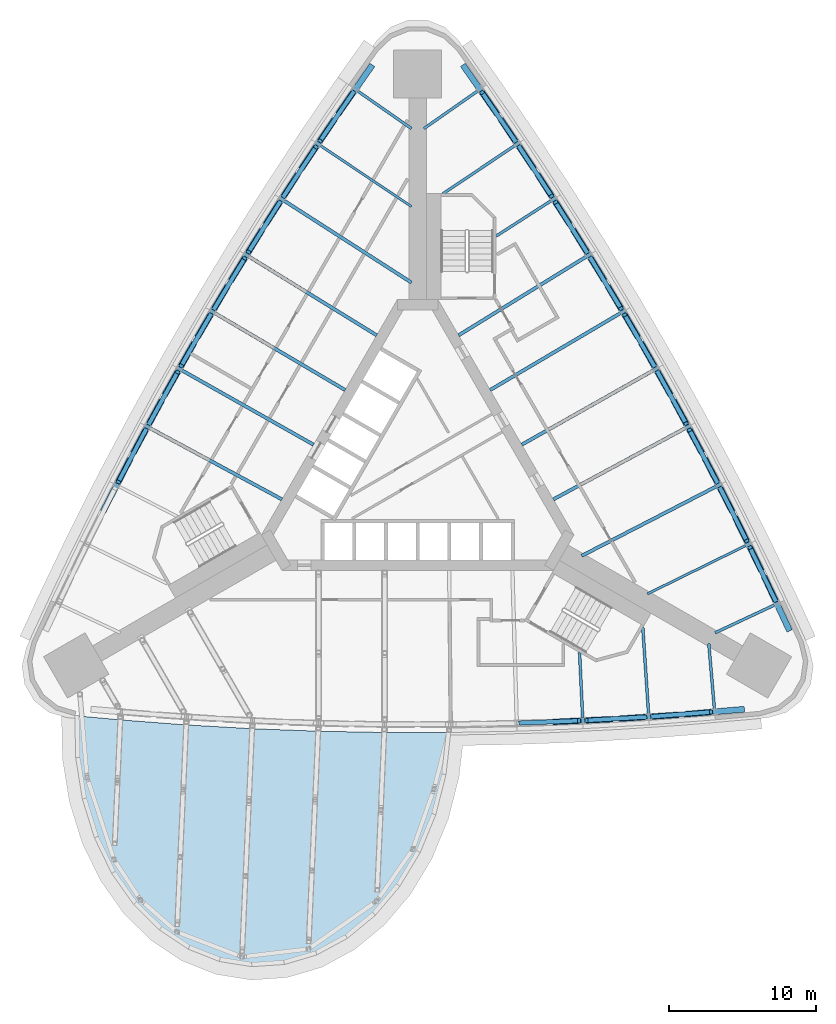
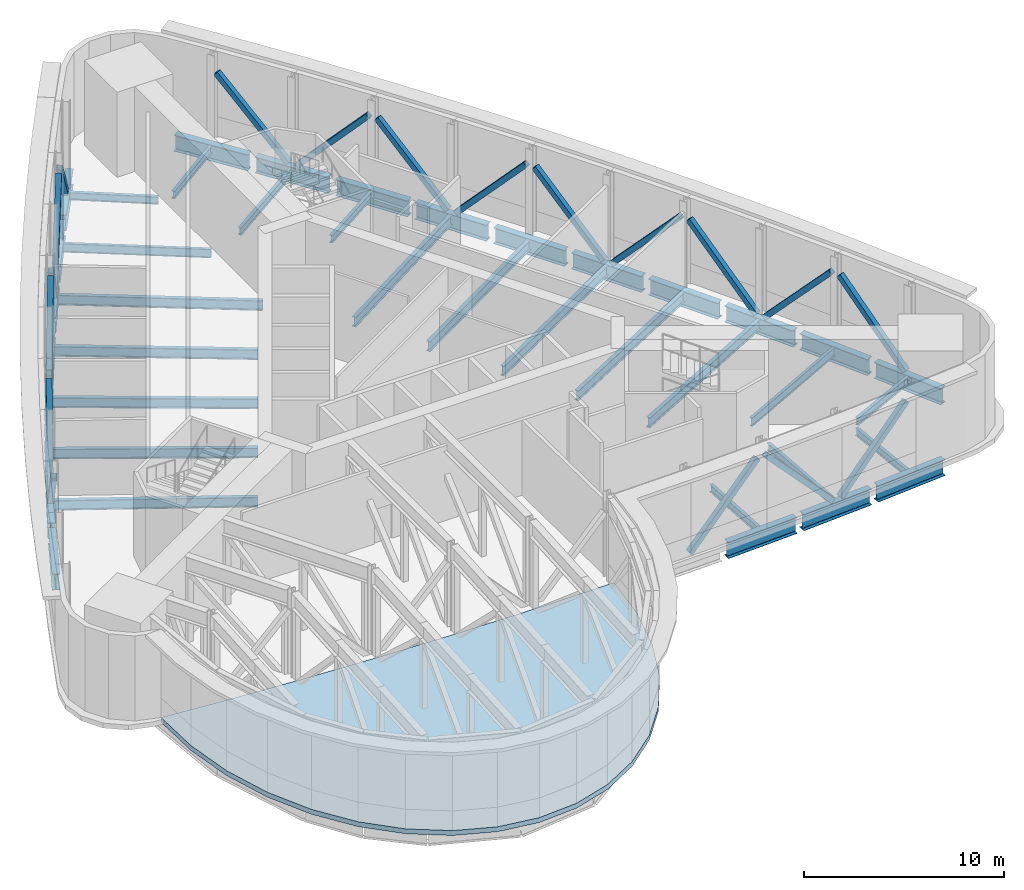
# One storey, part 4 of 10: 41 beams, 19 members, 1 slab.
"""IFC4 building model written with IfcOpenShell, lengths in metres."""

from ifc_helpers import new_model, si_unit, direction, frame, origin, origin_2d, place, context, subcontext, project, spatial, polyline, hollow_rectangle, i_section, outline, extrude, material, layer, layer_set, material_profile, profile_set, type_object, element, save


model = new_model("IFC4")

# Units and contexts
model_context = context("Model", 3, precision=1e-05, world=origin(), true_north=direction((0.0, 1.0)))
body_context = subcontext(model_context, "Body", "Model", "MODEL_VIEW")
ifc_project = project(units=[si_unit("LENGTHUNIT", "METRE"), si_unit("AREAUNIT", "SQUARE_METRE"), si_unit("VOLUMEUNIT", "CUBIC_METRE"), si_unit("PLANEANGLEUNIT", "RADIAN"), si_unit("MASSUNIT", "GRAM", prefix="KILO")], contexts=[model_context])

# Site, building, storey
site_placement = place(None, origin())
site = spatial("IfcSite", under=ifc_project, at=site_placement, CompositionType="ELEMENT")
building_placement = place(site_placement, origin())
building = spatial("IfcBuilding", under=site, at=building_placement, Name="Noor Cloister Tower", CompositionType="ELEMENT")
storey_placement = place(building_placement, frame((0.0, 0.0, 52.800048828125)))
storey = spatial("IfcBuildingStorey", under=building, at=storey_placement, Name="L13", CompositionType="ELEMENT", Elevation=52.800048828125)

# Members
ifc_material_1 = material(Name="Steel ASTM A500 Gr C", Category="steel")
ifc_material_profile_1 = material_profile(ifc_material_1, hollow_rectangle(XDim=0.304931640625, YDim=0.304931640625, WallThickness=0.0126953125, at=origin_2d()), Name="HSS304.8x304.8x12.7")
ifc_profile_set_1 = profile_set([ifc_material_profile_1], Name="Steel ASTM A500 Gr C")
member_type = type_object("IfcMemberType", Name="Belt truss diagonal HSS304.8x304.8x12.7", PredefinedType="BRACE", material=ifc_profile_set_1)
member_1_placement = place(storey_placement, frame((-4.374267578125, 25.540283203125, -0.1962890625), z_axis=(-0.383528733744, -0.561270681849, 0.733403662447), x_axis=(0.825648912013, -0.564184255444, 0.0)))
element("IfcMember", 1, at=member_1_placement, inside=storey, type_object=member_type, Name="Belt truss diagonal NW 01 L13", PredefinedType="BRACE", context=body_context, shape_type="SweptSolid", body=[
    extrude(hollow_rectangle(XDim=0.304931640625, YDim=0.304931640625, WallThickness=0.0126953125, at=origin_2d()), origin(), (0.0, 0.0, 1.0), 5.876220703125),
])
member_2_placement = place(storey_placement, frame((-9.09765625, 18.4931640625, -0.1962890625), z_axis=(0.373395778373, 0.568050192713, 0.733412960925), x_axis=(-0.835634142626, 0.54928642772, 0.0)))
element("IfcMember", 2, at=member_2_placement, inside=storey, type_object=member_type, Name="Belt truss diagonal NW 02 L13", PredefinedType="BRACE", context=body_context, shape_type="SweptSolid", body=[
    extrude(hollow_rectangle(XDim=0.304931640625, YDim=0.304931640625, WallThickness=0.0126953125, at=origin_2d()), origin(), (0.0, 0.0, 1.0), 5.8759765625),
])
member_3_placement = place(storey_placement, frame((-9.364990234375, 18.07666015625, -0.1962890625), z_axis=(-0.361798326887, -0.575520259996, 0.733401936864), x_axis=(0.846608224108, -0.532216605222, 0.0)))
element("IfcMember", 3, at=member_3_placement, inside=storey, type_object=member_type, Name="Belt truss diagonal NW 03 L13", PredefinedType="BRACE", context=body_context, shape_type="SweptSolid", body=[
    extrude(hollow_rectangle(XDim=0.304931640625, YDim=0.304931640625, WallThickness=0.0126953125, at=origin_2d()), origin(), (0.0, 0.0, 1.0), 5.876220703125),
])
for number, where, z_axis, x_axis, name in (
    (4, (-13.815673828125, 10.854248046875, -0.1962890625), (0.35142028565, 0.581891830282, 0.733420534676), (-0.85600626841, 0.516965442214, 0.0), "Belt truss diagonal NW 04 L13"),
    (5, (-14.067138671875, 10.427978515625, -0.1962890625), (-0.339535531519, -0.588910502172, 0.73341669143), (0.866325973627, -0.499479036015, 0.0), "Belt truss diagonal NW 05 L13"),
    (6, (-18.238525390625, 3.040771484375, -0.1962890625), (0.328940583461, 0.59489342857, 0.733416594574), (-0.875127116234, 0.483893098144, 0.0), "Belt truss diagonal NW 06 L13"),
    (7, (-18.473876953125, 2.605224609375, -0.1962890625), (-0.316767942266, -0.601460221962, 0.733419165382), (0.884790908687, -0.465988248676, 0.0), "Belt truss diagonal NW 07 L13"),
    (8, (6.980712890625, -17.30126953125, -0.1962890625), (0.679274176174, 0.026341661734, 0.733411692325), (-0.038750004634, 0.999248936522, 0.0), "Belt truss diagonal S 07 L13"),
    (9, (15.45458984375, -16.896240234375, -0.1962890625), (-0.678691531358, -0.038556825289, 0.733410646559), (0.05671907467, -0.99839017752, 0.0), "Belt truss diagonal S 08 L13"),
    (10, (15.948486328125, -16.863525390625, -0.1962890625), (0.677774168669, 0.052309058932, 0.733407075667), (-0.076948882146, 0.997035039272, 0.0), "Belt truss diagonal S 09 L13"),
):
    element("IfcMember", number, at=place(storey_placement, frame(where, z_axis=z_axis, x_axis=x_axis)), inside=storey, type_object=member_type, Name=name, PredefinedType="BRACE", context=body_context, shape_type="SweptSolid", body=[
        extrude(hollow_rectangle(XDim=0.304931640625, YDim=0.304931640625, WallThickness=0.0126953125, at=origin_2d()), origin(), (0.0, 0.0, 1.0), 5.8759765625),
    ])
member_4_placement = place(storey_placement, frame((24.3056640625, -8.98193359375, -0.1962890625), z_axis=(-0.294322425843, 0.612783943924, 0.733396310132), x_axis=(-0.901416214149, -0.432953587432, 0.0)))
element("IfcMember", 11, at=member_4_placement, inside=storey, type_object=member_type, Name="Belt truss diagonal NE 01 L13", PredefinedType="BRACE", context=body_context, shape_type="SweptSolid", body=[
    extrude(hollow_rectangle(XDim=0.304931640625, YDim=0.304931640625, WallThickness=0.0126953125, at=origin_2d()), origin(), (0.0, 0.0, 1.0), 5.876220703125),
])
for number, where, z_axis, x_axis, name in (
    (12, (20.564208984375, -1.367919921875, -0.1962890625), (0.305255340555, -0.60739455881, 0.733410544641), (0.893508516441, 0.449046246001, 0.0), "Belt truss diagonal NE 02 L13"),
    (13, (20.33740234375, -0.927978515625, -0.1962890625), (-0.317511901091, 0.601078863267, 0.733410112283), (-0.884217197963, -0.467075954022, 0.0), "Belt truss diagonal NE 03 L13"),
):
    element("IfcMember", number, at=place(storey_placement, frame(where, z_axis=z_axis, x_axis=x_axis)), inside=storey, type_object=member_type, Name=name, PredefinedType="BRACE", context=body_context, shape_type="SweptSolid", body=[
        extrude(hollow_rectangle(XDim=0.304931640625, YDim=0.304931640625, WallThickness=0.0126953125, at=origin_2d()), origin(), (0.0, 0.0, 1.0), 5.8759765625),
    ])
for number, where, z_axis, x_axis, name in (
    (14, (16.307861328125, 6.53759765625, -0.1962890625), (0.328229278588, -0.595299886533, 0.733405471599), (0.875709583207, 0.482838198446, 0.0), "Belt truss diagonal NE 04 L13"),
    (15, (16.064453125, 6.968505859375, -0.1962890625), (-0.340235078844, 0.5885248372, 0.733402077392), (-0.865738555215, -0.500496507494, 0.0), "Belt truss diagonal NE 05 L13"),
):
    element("IfcMember", number, at=place(storey_placement, frame(where, z_axis=z_axis, x_axis=x_axis)), inside=storey, type_object=member_type, Name=name, PredefinedType="BRACE", context=body_context, shape_type="SweptSolid", body=[
        extrude(hollow_rectangle(XDim=0.304931640625, YDim=0.304931640625, WallThickness=0.0126953125, at=origin_2d()), origin(), (0.0, 0.0, 1.0), 5.876220703125),
    ])
member_5_placement = place(storey_placement, frame((11.752685546875, 14.274658203125, -0.1962890625), z_axis=(0.350716099161, -0.582310879011, 0.733425018645), x_axis=(0.856628816835, 0.515933203204, 0.0)))
element("IfcMember", 16, at=member_5_placement, inside=storey, type_object=member_type, Name="Belt truss diagonal NE 06 L13", PredefinedType="BRACE", context=body_context, shape_type="SweptSolid", body=[
    extrude(hollow_rectangle(XDim=0.304931640625, YDim=0.304931640625, WallThickness=0.0126953125, at=origin_2d()), origin(), (0.0, 0.0, 1.0), 5.8759765625),
])
for number, where, z_axis, x_axis, name in (
    (17, (11.4931640625, 14.696044921875, -0.1962890625), (-0.362498563334, 0.575095141968, 0.73338964355), (-0.845966357841, -0.533236271649, 0.0), "Belt truss diagonal NE 07 L13"),
    (18, (6.9052734375, 21.832275390625, -0.1962890625), (0.372726635542, -0.568500563384, 0.733404366356), (0.83628525626, 0.548294601616, 0.0), "Belt truss diagonal NE 08 L13"),
):
    element("IfcMember", number, at=place(storey_placement, frame(where, z_axis=z_axis, x_axis=x_axis)), inside=storey, type_object=member_type, Name=name, PredefinedType="BRACE", context=body_context, shape_type="SweptSolid", body=[
        extrude(hollow_rectangle(XDim=0.304931640625, YDim=0.304931640625, WallThickness=0.0126953125, at=origin_2d()), origin(), (0.0, 0.0, 1.0), 5.876220703125),
    ])
member_6_placement = place(storey_placement, frame((6.6298828125, 22.24365234375, -0.1962890625), z_axis=(-0.384158558005, 0.560823298285, 0.733416273621), x_axis=(-0.825007307473, -0.565122059927, 0.0)))
element("IfcMember", 19, at=member_6_placement, inside=storey, type_object=member_type, Name="Belt truss diagonal NE 09 L13", PredefinedType="BRACE", context=body_context, shape_type="SweptSolid", body=[
    extrude(hollow_rectangle(XDim=0.304931640625, YDim=0.304931640625, WallThickness=0.0126953125, at=origin_2d()), origin(), (0.0, 0.0, 1.0), 5.8759765625),
])

# Beams
ifc_material_2 = material(Name="Steel ASTM A992 Gr 50", Category="steel")
ifc_material_profile_2 = material_profile(ifc_material_2, i_section(OverallWidth=0.19091796875, OverallDepth=0.45703125, WebThickness=0.009033203125, FlangeThickness=0.014404296875, FilletRadius=0.01025390625, at=origin_2d()), Name="W460x74")
ifc_profile_set_2 = profile_set([ifc_material_profile_2], Name="Steel ASTM A992 Gr 50")
beam_type_1 = type_object("IfcBeamType", Name="Radial beam W460x74", PredefinedType="BEAM", material=ifc_profile_set_2)
beam_1_placement = place(storey_placement, frame((-4.068359375, 25.62841796875, -0.528564453125), z_axis=(0.819905044585, -0.572499535253, 0.0), x_axis=(0.572499535253, 0.819905044585, 0.0)))
element("IfcBeam", 20, at=beam_1_placement, inside=storey, type_object=beam_type_1, Name="Radial beam NW 01 L13", PredefinedType="BEAM", context=body_context, shape_type="SweptSolid", body=[
    extrude(i_section(OverallWidth=0.19091796875, OverallDepth=0.45703125, WebThickness=0.009033203125, FlangeThickness=0.014404296875, FilletRadius=0.01025390625, at=origin_2d()), origin(), (0.0, 0.0, 1.0), 4.443603515625),
])
beam_2_placement = place(storey_placement, frame((11.2099609375, -16.936767578125, -0.528564453125), z_axis=(-0.047716986748, 0.998860895809, 0.0), x_axis=(-0.998860895809, -0.047716986748, 0.0)))
element("IfcBeam", 21, at=beam_2_placement, inside=storey, type_object=beam_type_1, Name="Radial beam S 08 L13", PredefinedType="BEAM", context=body_context, shape_type="SweptSolid", body=[
    extrude(i_section(OverallWidth=0.19091796875, OverallDepth=0.45703125, WebThickness=0.009033203125, FlangeThickness=0.014404296875, FilletRadius=0.01025390625, at=origin_2d()), origin(), (0.0, 0.0, 1.0), 4.430908203125),
])
beam_3_placement = place(storey_placement, frame((15.688232421875, -16.679931640625, -0.528564453125), z_axis=(-0.066797651812, 0.99776654269, 0.0), x_axis=(-0.99776654269, -0.066797651812, 0.0)))
element("IfcBeam", 22, at=beam_3_placement, inside=storey, type_object=beam_type_1, Name="Radial beam S 09 L13", PredefinedType="BEAM", context=body_context, shape_type="SweptSolid", body=[
    extrude(i_section(OverallWidth=0.19091796875, OverallDepth=0.45703125, WebThickness=0.009033203125, FlangeThickness=0.014404296875, FilletRadius=0.01025390625, at=origin_2d()), origin(), (0.0, 0.0, 1.0), 5.87353515625),
])
for number, where, z_axis, x_axis, name in (
    (23, (20.16064453125, -16.337646484375, -0.528564453125), (-0.085818761153, 0.996310764889, 0.0), (-0.996310764889, -0.085818761153, 0.0), "Radial beam S 10 L13"),
    (24, (24.22900390625, -9.290771484375, -0.528564453125), (-0.90571939898, -0.423877777563, 0.0), (0.423877777563, -0.90571939898, 0.0), "Radial beam NE 01 L13"),
):
    element("IfcBeam", number, at=place(storey_placement, frame(where, z_axis=z_axis, x_axis=x_axis)), inside=storey, type_object=beam_type_1, Name=name, PredefinedType="BEAM", context=body_context, shape_type="SweptSolid", body=[
        extrude(i_section(OverallWidth=0.19091796875, OverallDepth=0.45703125, WebThickness=0.009033203125, FlangeThickness=0.014404296875, FilletRadius=0.01025390625, at=origin_2d()), origin(), (0.0, 0.0, 1.0), 4.443603515625),
    ])
beam_4_placement = place(storey_placement, frame((9.062744140625, 18.176513671875, -0.528564453125), z_axis=(-0.841174894775, -0.540763161098, 0.0), x_axis=(0.540763161098, -0.841174894775, 0.0)))
element("IfcBeam", 25, at=beam_4_placement, inside=storey, type_object=beam_type_1, Name="Radial beam NE 08 L13", PredefinedType="BEAM", context=body_context, shape_type="SweptSolid", body=[
    extrude(i_section(OverallWidth=0.19091796875, OverallDepth=0.45703125, WebThickness=0.009033203125, FlangeThickness=0.014404296875, FilletRadius=0.01025390625, at=origin_2d()), origin(), (0.0, 0.0, 1.0), 4.4306640625),
])
beam_5_placement = place(storey_placement, frame((6.60107421875, 21.92626953125, -0.528564453125), z_axis=(-0.830698465473, -0.556722605488, 0.0), x_axis=(0.556722605488, -0.830698465473, 0.0)))
element("IfcBeam", 26, at=beam_5_placement, inside=storey, type_object=beam_type_1, Name="Radial beam NE 09 L13", PredefinedType="BEAM", context=body_context, shape_type="SweptSolid", body=[
    extrude(i_section(OverallWidth=0.19091796875, OverallDepth=0.45703125, WebThickness=0.009033203125, FlangeThickness=0.014404296875, FilletRadius=0.01025390625, at=origin_2d()), origin(), (0.0, 0.0, 1.0), 5.873291015625),
])
beam_6_placement = place(storey_placement, frame((4.068359375, 25.62841796875, -0.528564453125), z_axis=(-0.819905044585, -0.572499535253, 0.0), x_axis=(0.572499535253, -0.819905044585, 0.0)))
element("IfcBeam", 27, at=beam_6_placement, inside=storey, type_object=beam_type_1, Name="Radial beam NE 10 L13", PredefinedType="BEAM", context=body_context, shape_type="SweptSolid", body=[
    extrude(i_section(OverallWidth=0.19091796875, OverallDepth=0.45703125, WebThickness=0.009033203125, FlangeThickness=0.014404296875, FilletRadius=0.01025390625, at=origin_2d()), origin(), (0.0, 0.0, 1.0), 4.443603515625),
])
ifc_material_3 = material(Name="Steel ASTM A992 Gr 50", Category="steel")
ifc_material_profile_3 = material_profile(ifc_material_3, i_section(OverallWidth=0.166015625, OverallDepth=0.528076171875, WebThickness=0.009765625, FlangeThickness=0.013671875, FilletRadius=0.0126953125, at=origin_2d()), Name="W530x74")
ifc_profile_set_3 = profile_set([ifc_material_profile_3], Name="Steel ASTM A992 Gr 50")
beam_type_2 = type_object("IfcBeamType", Name="Radial beam W530x74", PredefinedType="BEAM", material=ifc_profile_set_3)
for number, where, z_axis, x_axis, name in (
    (28, (-6.60107421875, 21.92626953125, -0.56396484375), (0.830693894484, -0.556729425904, 0.0), (0.556729425904, 0.830693894484, 0.0), "Radial beam NW 02 L13"),
    (29, (22.289306640625, -5.246337890625, -0.56396484375), (-0.897486148859, -0.441042642616, 0.0), (0.441042642616, -0.897486148859, 0.0), "Radial beam NE 02 L13"),
):
    element("IfcBeam", number, at=place(storey_placement, frame(where, z_axis=z_axis, x_axis=x_axis)), inside=storey, type_object=beam_type_2, Name=name, PredefinedType="BEAM", context=body_context, shape_type="SweptSolid", body=[
        extrude(i_section(OverallWidth=0.166015625, OverallDepth=0.528076171875, WebThickness=0.009765625, FlangeThickness=0.013671875, FilletRadius=0.0126953125, at=origin_2d()), origin(), (0.0, 0.0, 1.0), 7.434814453125),
    ])
ifc_material_4 = material(Name="Steel ASTM A992 Gr 50", Category="steel")
ifc_material_profile_4 = material_profile(ifc_material_4, i_section(OverallWidth=0.22802734375, OverallDepth=0.60205078125, WebThickness=0.010498046875, FlangeThickness=0.014892578125, FilletRadius=0.0126953125, at=origin_2d()), Name="W610x101")
ifc_profile_set_4 = profile_set([ifc_material_profile_4], Name="Steel ASTM A992 Gr 50")
beam_type_3 = type_object("IfcBeamType", Name="Radial beam W610x101", PredefinedType="BEAM", material=ifc_profile_set_4)
beam_7_placement = place(storey_placement, frame((-9.062744140625, 18.176513671875, -0.60107421875), z_axis=(0.841170750458, -0.540769607665, 0.0), x_axis=(0.540769607665, 0.841170750458, 0.0)))
element("IfcBeam", 30, at=beam_7_placement, inside=storey, type_object=beam_type_3, Name="Radial beam NW 03 L13", PredefinedType="BEAM", context=body_context, shape_type="SweptSolid", body=[
    extrude(i_section(OverallWidth=0.22802734375, OverallDepth=0.60205078125, WebThickness=0.010498046875, FlangeThickness=0.014892578125, FilletRadius=0.0126953125, at=origin_2d()), origin(), (0.0, 0.0, 1.0), 10.2685546875),
])
beam_8_placement = place(storey_placement, frame((-11.4521484375, 14.380126953125, -0.60107421875), z_axis=(0.85136021175, -0.524581537846, 0.0), x_axis=(0.524581537846, 0.85136021175, 0.0)))
element("IfcBeam", 31, at=beam_8_placement, inside=storey, type_object=beam_type_3, Name="Radial beam NW 04 L13", PredefinedType="BEAM", context=body_context, shape_type="SweptSolid", body=[
    extrude(i_section(OverallWidth=0.22802734375, OverallDepth=0.60205078125, WebThickness=0.010498046875, FlangeThickness=0.014892578125, FilletRadius=0.0126953125, at=origin_2d()), origin(), (0.0, 0.0, 1.0), 10.183837890625),
])
beam_9_placement = place(storey_placement, frame((-13.768798828125, 10.5390625, -0.60107421875), z_axis=(0.86121991959, -0.508232476433, 0.0), x_axis=(0.508232476433, 0.86121991959, 0.0)))
element("IfcBeam", 32, at=beam_9_placement, inside=storey, type_object=beam_type_3, Name="Radial beam NW 05 L13", PredefinedType="BEAM", context=body_context, shape_type="SweptSolid", body=[
    extrude(i_section(OverallWidth=0.22802734375, OverallDepth=0.60205078125, WebThickness=0.010498046875, FlangeThickness=0.014892578125, FilletRadius=0.0126953125, at=origin_2d()), origin(), (0.0, 0.0, 1.0), 10.26611328125),
])
beam_10_placement = place(storey_placement, frame((-16.011474609375, 6.654541015625, -0.60107421875), z_axis=(0.87075500463, -0.491717115741, 0.0), x_axis=(0.491717115741, 0.87075500463, 0.0)))
element("IfcBeam", 33, at=beam_10_placement, inside=storey, type_object=beam_type_3, Name="Radial beam NW 06 L13", PredefinedType="BEAM", context=body_context, shape_type="SweptSolid", body=[
    extrude(i_section(OverallWidth=0.22802734375, OverallDepth=0.60205078125, WebThickness=0.010498046875, FlangeThickness=0.014892578125, FilletRadius=0.0126953125, at=origin_2d()), origin(), (0.0, 0.0, 1.0), 10.265869140625),
])
beam_11_placement = place(storey_placement, frame((-18.1796875, 2.727783203125, -0.60107421875), z_axis=(0.879983363592, -0.475004505032, 0.0), x_axis=(0.475004505032, 0.879983363592, 0.0)))
element("IfcBeam", 34, at=beam_11_placement, inside=storey, type_object=beam_type_3, Name="Radial beam NW 07 L13", PredefinedType="BEAM", context=body_context, shape_type="SweptSolid", body=[
    extrude(i_section(OverallWidth=0.22802734375, OverallDepth=0.60205078125, WebThickness=0.010498046875, FlangeThickness=0.014892578125, FilletRadius=0.0126953125, at=origin_2d()), origin(), (0.0, 0.0, 1.0), 10.183837890625),
])
beam_12_placement = place(storey_placement, frame((20.2724609375, -1.23974609375, -0.60107421875), z_axis=(-0.888896815834, -0.458107466432, 0.0), x_axis=(0.458107466432, -0.888896815834, 0.0)))
element("IfcBeam", 35, at=beam_12_placement, inside=storey, type_object=beam_type_3, Name="Radial beam NE 03 L13", PredefinedType="BEAM", context=body_context, shape_type="SweptSolid", body=[
    extrude(i_section(OverallWidth=0.22802734375, OverallDepth=0.60205078125, WebThickness=0.010498046875, FlangeThickness=0.014892578125, FilletRadius=0.0126953125, at=origin_2d()), origin(), (0.0, 0.0, 1.0), 10.2685546875),
])
beam_13_placement = place(storey_placement, frame((18.1796875, 2.727783203125, -0.60107421875), z_axis=(-0.879983363592, -0.475004505032, 0.0), x_axis=(0.475004505032, -0.879983363592, 0.0)))
element("IfcBeam", 36, at=beam_13_placement, inside=storey, type_object=beam_type_3, Name="Radial beam NE 04 L13", PredefinedType="BEAM", context=body_context, shape_type="SweptSolid", body=[
    extrude(i_section(OverallWidth=0.22802734375, OverallDepth=0.60205078125, WebThickness=0.010498046875, FlangeThickness=0.014892578125, FilletRadius=0.0126953125, at=origin_2d()), origin(), (0.0, 0.0, 1.0), 10.183837890625),
])
beam_14_placement = place(storey_placement, frame((16.011474609375, 6.654541015625, -0.60107421875), z_axis=(-0.87075500463, -0.491717115741, 0.0), x_axis=(0.491717115741, -0.87075500463, 0.0)))
element("IfcBeam", 37, at=beam_14_placement, inside=storey, type_object=beam_type_3, Name="Radial beam NE 05 L13", PredefinedType="BEAM", context=body_context, shape_type="SweptSolid", body=[
    extrude(i_section(OverallWidth=0.22802734375, OverallDepth=0.60205078125, WebThickness=0.010498046875, FlangeThickness=0.014892578125, FilletRadius=0.0126953125, at=origin_2d()), origin(), (0.0, 0.0, 1.0), 10.265869140625),
])
beam_15_placement = place(storey_placement, frame((13.768798828125, 10.5390625, -0.60107421875), z_axis=(-0.86121991959, -0.508232476433, 0.0), x_axis=(0.508232476433, -0.86121991959, 0.0)))
element("IfcBeam", 38, at=beam_15_placement, inside=storey, type_object=beam_type_3, Name="Radial beam NE 06 L13", PredefinedType="BEAM", context=body_context, shape_type="SweptSolid", body=[
    extrude(i_section(OverallWidth=0.22802734375, OverallDepth=0.60205078125, WebThickness=0.010498046875, FlangeThickness=0.014892578125, FilletRadius=0.0126953125, at=origin_2d()), origin(), (0.0, 0.0, 1.0), 10.26611328125),
])
beam_16_placement = place(storey_placement, frame((11.4521484375, 14.380126953125, -0.60107421875), z_axis=(-0.85136021175, -0.524581537846, 0.0), x_axis=(0.524581537846, -0.85136021175, 0.0)))
element("IfcBeam", 39, at=beam_16_placement, inside=storey, type_object=beam_type_3, Name="Radial beam NE 07 L13", PredefinedType="BEAM", context=body_context, shape_type="SweptSolid", body=[
    extrude(i_section(OverallWidth=0.22802734375, OverallDepth=0.60205078125, WebThickness=0.010498046875, FlangeThickness=0.014892578125, FilletRadius=0.0126953125, at=origin_2d()), origin(), (0.0, 0.0, 1.0), 10.183837890625),
])
ifc_material_5 = material(Name="Steel ASTM A992 Gr 50", Category="steel")
ifc_material_profile_5 = material_profile(ifc_material_5, i_section(OverallWidth=0.40087890625, OverallDepth=0.98291015625, WebThickness=0.0166015625, FlangeThickness=0.027099609375, FilletRadius=0.030029296875, at=origin_2d()), Name="W1000x296")
ifc_profile_set_5 = profile_set([ifc_material_profile_5], Name="Steel ASTM A992 Gr 50")
beam_type_4 = type_object("IfcBeamType", Name="Transfer girder W1000x296", PredefinedType="BEAM", material=ifc_profile_set_5)
beam_17_placement = place(storey_placement, frame((-3.0732421875, 27.406982421875, -0.79150390625), z_axis=(-0.571804849183, -0.820389672321, 0.0), x_axis=(0.820389672321, -0.571804849183, 0.0)))
element("IfcBeam", 40, at=beam_17_placement, inside=storey, type_object=beam_type_4, Name="Transfer girder NW 01 L13", PredefinedType="BEAM", context=body_context, shape_type="SweptSolid", body=[
    extrude(i_section(OverallWidth=0.40087890625, OverallDepth=0.98291015625, WebThickness=0.0166015625, FlangeThickness=0.027099609375, FilletRadius=0.030029296875, at=origin_2d()), origin(), (0.0, 0.0, 1.0), 4.085693359375),
])
beam_18_placement = place(storey_placement, frame((-5.637939453125, 23.72607421875, -0.79150390625), z_axis=(-0.55617490597, -0.831065264567, 0.0), x_axis=(0.831065264567, -0.55617490597, 0.0)))
element("IfcBeam", 41, at=beam_18_placement, inside=storey, type_object=beam_type_4, Name="Transfer girder NW 02 L13", PredefinedType="BEAM", context=body_context, shape_type="SweptSolid", body=[
    extrude(i_section(OverallWidth=0.40087890625, OverallDepth=0.98291015625, WebThickness=0.0166015625, FlangeThickness=0.027099609375, FilletRadius=0.030029296875, at=origin_2d()), origin(), (0.0, 0.0, 1.0), 4.08544921875),
])
beam_19_placement = place(storey_placement, frame((-8.1318359375, 19.996826171875, -0.79150390625), z_axis=(-0.540373974592, -0.841424962539, 0.0), x_axis=(0.841424962539, -0.540373974592, 0.0)))
element("IfcBeam", 42, at=beam_19_placement, inside=storey, type_object=beam_type_4, Name="Transfer girder NW 03 L13", PredefinedType="BEAM", context=body_context, shape_type="SweptSolid", body=[
    extrude(i_section(OverallWidth=0.40087890625, OverallDepth=0.98291015625, WebThickness=0.0166015625, FlangeThickness=0.027099609375, FilletRadius=0.030029296875, at=origin_2d()), origin(), (0.0, 0.0, 1.0), 4.085693359375),
])
for number, where, z_axis, x_axis, name in (
    (43, (-10.55419921875, 16.220703125, -0.79150390625), (-0.524374130172, -0.851487975022, 0.0), (0.851487975022, -0.524374130172, 0.0), "Transfer girder NW 04 L13"),
    (44, (-12.904052734375, 12.39892578125, -0.79150390625), (-0.508189643386, -0.861245195258, 0.0), (0.861245195258, -0.508189643386, 0.0), "Transfer girder NW 05 L13"),
):
    element("IfcBeam", number, at=place(storey_placement, frame(where, z_axis=z_axis, x_axis=x_axis)), inside=storey, type_object=beam_type_4, Name=name, PredefinedType="BEAM", context=body_context, shape_type="SweptSolid", body=[
        extrude(i_section(OverallWidth=0.40087890625, OverallDepth=0.98291015625, WebThickness=0.0166015625, FlangeThickness=0.027099609375, FilletRadius=0.030029296875, at=origin_2d()), origin(), (0.0, 0.0, 1.0), 4.08544921875),
    ])
for number, where, z_axis, x_axis, name in (
    (45, (-15.1806640625, 8.533203125, -0.79150390625), (-0.491795350602, -0.87071082061, 0.0), (0.87071082061, -0.491795350602, 0.0), "Transfer girder NW 06 L13"),
    (46, (-17.383056640625, 4.62451171875, -0.79150390625), (-0.47524329356, -0.879854426554, 0.0), (0.879854426554, -0.47524329356, 0.0), "Transfer girder NW 07 L13"),
    (47, (-19.510498046875, 0.6748046875, -0.79150390625), (-0.458507444695, -0.888690566597, 0.0), (0.888690566597, -0.458507444695, 0.0), "Transfer girder NW 08 L13"),
    (48, (9.1708984375, -17.23388671875, -0.79150390625), (0.998882288685, 0.047267042974, 0.0), (-0.047267042974, 0.998882288685, 0.0), "Transfer girder S 08 L13"),
    (49, (13.65185546875, -17.015869140625, -0.79150390625), (0.997809679637, 0.066150156627, 0.0), (-0.066150156627, 0.997809679637, 0.0), "Transfer girder S 09 L13"),
    (50, (18.127685546875, -16.712158203125, -0.79150390625), (0.996383166947, 0.084974023234, 0.0), (-0.084974023234, 0.996383166947, 0.0), "Transfer girder S 10 L13"),
):
    element("IfcBeam", number, at=place(storey_placement, frame(where, z_axis=z_axis, x_axis=x_axis)), inside=storey, type_object=beam_type_4, Name=name, PredefinedType="BEAM", context=body_context, shape_type="SweptSolid", body=[
        extrude(i_section(OverallWidth=0.40087890625, OverallDepth=0.98291015625, WebThickness=0.0166015625, FlangeThickness=0.027099609375, FilletRadius=0.030029296875, at=origin_2d()), origin(), (0.0, 0.0, 1.0), 4.085693359375),
    ])
for number, where, z_axis, x_axis, name in (
    (51, (25.271728515625, -11.0419921875, -0.79150390625), (-0.424579318133, 0.905390745818, 0.0), (-0.905390745818, -0.424579318133, 0.0), "Transfer girder NE 01 L13"),
    (52, (23.3662109375, -6.98046875, -0.79150390625), (-0.441611503517, 0.897206375346, 0.0), (-0.897206375346, -0.441611503517, 0.0), "Transfer girder NE 02 L13"),
):
    element("IfcBeam", number, at=place(storey_placement, frame(where, z_axis=z_axis, x_axis=x_axis)), inside=storey, type_object=beam_type_4, Name=name, PredefinedType="BEAM", context=body_context, shape_type="SweptSolid", body=[
        extrude(i_section(OverallWidth=0.40087890625, OverallDepth=0.98291015625, WebThickness=0.0166015625, FlangeThickness=0.027099609375, FilletRadius=0.030029296875, at=origin_2d()), origin(), (0.0, 0.0, 1.0), 4.08544921875),
    ])
for number, where, z_axis, x_axis, name in (
    (53, (21.3837890625, -2.9560546875, -0.79150390625), (-0.458507444695, 0.888690566597, 0.0), (-0.888690566597, -0.458507444695, 0.0), "Transfer girder NE 03 L13"),
    (54, (19.32470703125, 1.02978515625, -0.79150390625), (-0.47524329356, 0.879854426554, 0.0), (-0.879854426554, -0.47524329356, 0.0), "Transfer girder NE 04 L13"),
    (55, (17.18994140625, 4.975830078125, -0.79150390625), (-0.491795350602, 0.87071082061, 0.0), (-0.87071082061, -0.491795350602, 0.0), "Transfer girder NE 05 L13"),
):
    element("IfcBeam", number, at=place(storey_placement, frame(where, z_axis=z_axis, x_axis=x_axis)), inside=storey, type_object=beam_type_4, Name=name, PredefinedType="BEAM", context=body_context, shape_type="SweptSolid", body=[
        extrude(i_section(OverallWidth=0.40087890625, OverallDepth=0.98291015625, WebThickness=0.0166015625, FlangeThickness=0.027099609375, FilletRadius=0.030029296875, at=origin_2d()), origin(), (0.0, 0.0, 1.0), 4.085693359375),
    ])
for number, where, z_axis, x_axis, name in (
    (56, (14.980224609375, 8.88037109375, -0.79150390625), (-0.508189643386, 0.861245195258, 0.0), (-0.861245195258, -0.508189643386, 0.0), "Transfer girder NE 06 L13"),
    (57, (12.696533203125, 12.741943359375, -0.79150390625), (-0.524374130172, 0.851487975022, 0.0), (-0.851487975022, -0.524374130172, 0.0), "Transfer girder NE 07 L13"),
):
    element("IfcBeam", number, at=place(storey_placement, frame(where, z_axis=z_axis, x_axis=x_axis)), inside=storey, type_object=beam_type_4, Name=name, PredefinedType="BEAM", context=body_context, shape_type="SweptSolid", body=[
        extrude(i_section(OverallWidth=0.40087890625, OverallDepth=0.98291015625, WebThickness=0.0166015625, FlangeThickness=0.027099609375, FilletRadius=0.030029296875, at=origin_2d()), origin(), (0.0, 0.0, 1.0), 4.08544921875),
    ])
beam_20_placement = place(storey_placement, frame((10.339599609375, 16.55908203125, -0.79150390625), z_axis=(-0.540373974592, 0.841424962539, 0.0), x_axis=(-0.841424962539, -0.540373974592, 0.0)))
element("IfcBeam", 58, at=beam_20_placement, inside=storey, type_object=beam_type_4, Name="Transfer girder NE 08 L13", PredefinedType="BEAM", context=body_context, shape_type="SweptSolid", body=[
    extrude(i_section(OverallWidth=0.40087890625, OverallDepth=0.98291015625, WebThickness=0.0166015625, FlangeThickness=0.027099609375, FilletRadius=0.030029296875, at=origin_2d()), origin(), (0.0, 0.0, 1.0), 4.085693359375),
])
beam_21_placement = place(storey_placement, frame((7.91015625, 20.330810546875, -0.79150390625), z_axis=(-0.55617490597, 0.831065264567, 0.0), x_axis=(-0.831065264567, -0.55617490597, 0.0)))
element("IfcBeam", 59, at=beam_21_placement, inside=storey, type_object=beam_type_4, Name="Transfer girder NE 09 L13", PredefinedType="BEAM", context=body_context, shape_type="SweptSolid", body=[
    extrude(i_section(OverallWidth=0.40087890625, OverallDepth=0.98291015625, WebThickness=0.0166015625, FlangeThickness=0.027099609375, FilletRadius=0.030029296875, at=origin_2d()), origin(), (0.0, 0.0, 1.0), 4.08544921875),
])
beam_22_placement = place(storey_placement, frame((5.409423828125, 24.05517578125, -0.79150390625), z_axis=(-0.571804849183, 0.820389672321, 0.0), x_axis=(-0.820389672321, -0.571804849183, 0.0)))
element("IfcBeam", 60, at=beam_22_placement, inside=storey, type_object=beam_type_4, Name="Transfer girder NE 10 L13", PredefinedType="BEAM", context=body_context, shape_type="SweptSolid", body=[
    extrude(i_section(OverallWidth=0.40087890625, OverallDepth=0.98291015625, WebThickness=0.0166015625, FlangeThickness=0.027099609375, FilletRadius=0.030029296875, at=origin_2d()), origin(), (0.0, 0.0, 1.0), 4.085693359375),
])

# Slab
ifc_material_6 = material(Name="Concrete C40/50", Category="concrete")
ifc_layer = layer(ifc_material_6, 0.300048828125)
ifc_layer_set = layer_set([ifc_layer], Name="Pod floor slab 300")
slab_type = type_object("IfcSlabType", Name="Pod floor slab 300", PredefinedType="FLOOR", material=ifc_layer_set)
slab_placement = place(storey_placement, frame((0.0, 0.0, -0.300048828125)))
element("IfcSlab", 61, at=slab_placement, inside=storey, type_object=slab_type, Name="Pod floor slab L13", PredefinedType="FLOOR", context=body_context, shape_type="SweptSolid", body=[
    extrude(outline(polyline([(-23.29736328125, -16.80029296875), (-23.2314453125, -19.67138671875), (-22.779296875, -22.472412109375), (-21.954833984375, -25.11865234375), (-20.783203125, -27.529541015625), (-19.299560546875, -29.6318359375), (-17.549560546875, -31.361328125), (-15.5859375, -32.666015625), (-13.468505859375, -33.506103515625), (-11.26171875, -33.855712890625), (-9.0322265625, -33.70458984375), (-6.84814453125, -33.05712890625), (-4.77587890625, -31.933349609375), (-2.878173828125, -30.366943359375), (-1.212890625, -28.40576171875), (0.169677734375, -26.109130859375), (1.227294921875, -23.54736328125), (1.927734375, -20.797607421875), (2.25, -17.944091796875), (-2.25, -17.944091796875), (-6.7490234375, -17.858154296875), (-11.24560546875, -17.686279296875), (-15.73828125, -17.4287109375), (-20.22509765625, -17.085205078125), (-23.29736328125, -16.80029296875)])), origin(), (0.0, 0.0, 1.0), 0.300048828125),
])

save(model, "model.ifc")
